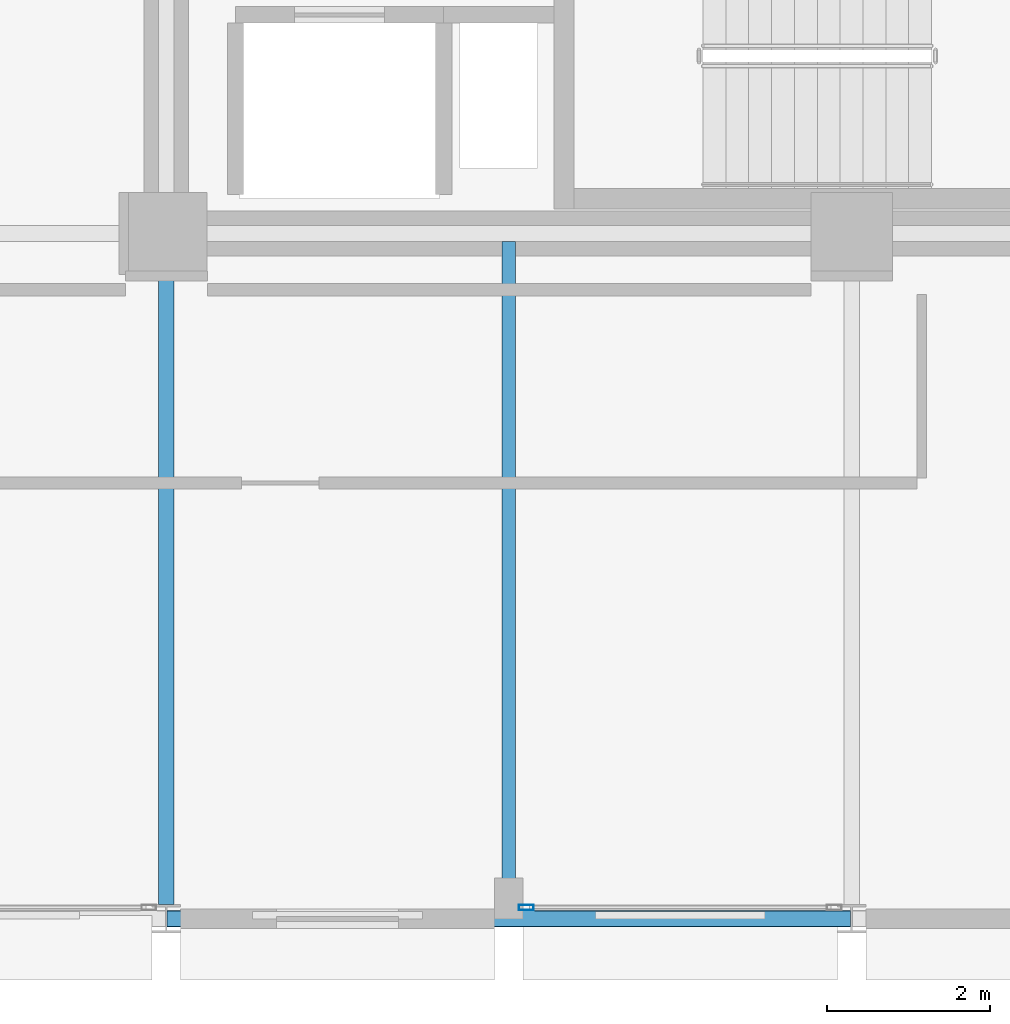
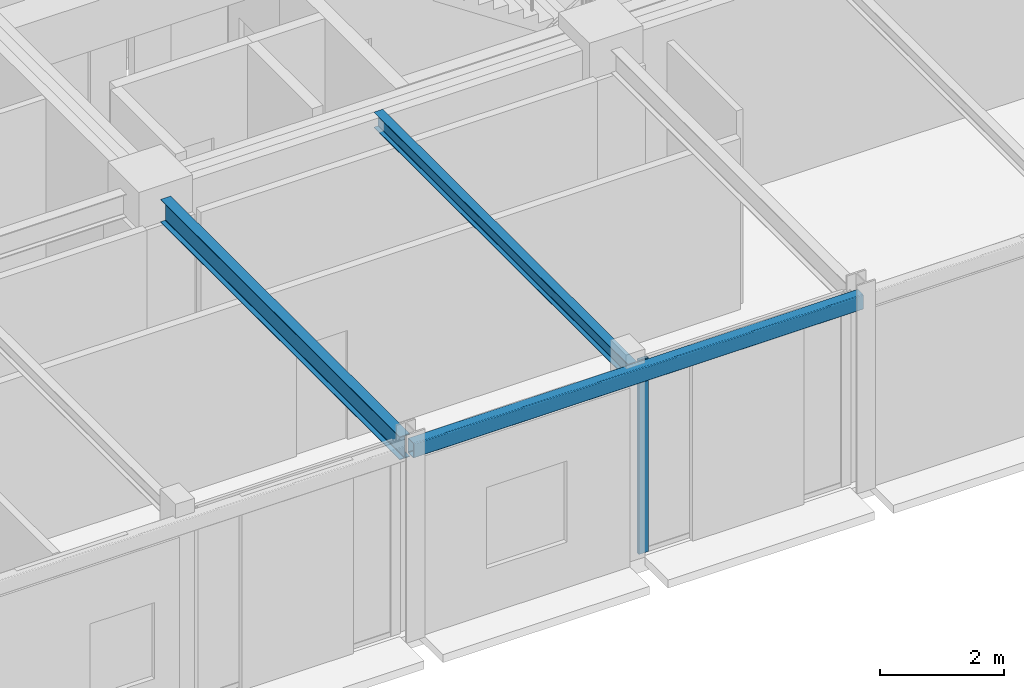
# One storey, part 7 of 29: 3 beams, 1 member, 1 element without a shape of its own.
"""IFC4 building model written with IfcOpenShell, lengths in metres."""

from ifc_helpers import new_model, si_unit, direction, frame, origin, origin_2d, place, context, subcontext, project, spatial, hollow_rectangle, i_section, extrude, material, layer, layer_set, material_profile, profile_set, type_object, element, aggregate, save


model = new_model("IFC4")

# Units and contexts
model_context = context("Model", 3, precision=1e-05, world=origin(), true_north=direction((0.0, 1.0)))
body_context = subcontext(model_context, "Body", "Model", "MODEL_VIEW")
ifc_project = project(units=[si_unit("LENGTHUNIT", "METRE"), si_unit("AREAUNIT", "SQUARE_METRE"), si_unit("VOLUMEUNIT", "CUBIC_METRE"), si_unit("PLANEANGLEUNIT", "RADIAN"), si_unit("MASSUNIT", "GRAM", prefix="KILO")], contexts=[model_context])

# Site, building, storey
site_placement = place(None, origin())
site = spatial("IfcSite", under=ifc_project, at=site_placement, CompositionType="ELEMENT")
building_placement = place(site_placement, origin())
building = spatial("IfcBuilding", under=site, at=building_placement, Name="Nerrivon Quay Data Exchange", CompositionType="ELEMENT")
storey_placement = place(building_placement, frame((0.0, 0.0, 179.60009765625)))
storey = spatial("IfcBuildingStorey", under=building, at=storey_placement, Name="L42", CompositionType="ELEMENT", Elevation=179.60009765625)

# Beams
ifc_material_1 = material(Name="Steel Grade 350", Category="steel")
ifc_material_profile_1 = material_profile(ifc_material_1, i_section(OverallWidth=0.18994140625, OverallDepth=0.4541015625, WebThickness=0.008544921875, FlangeThickness=0.0126953125, FilletRadius=0.011474609375, at=origin_2d()), Name="460UB67.1")
ifc_profile_set_1 = profile_set([ifc_material_profile_1], Name="Steel Grade 350")
beam_type_1 = type_object("IfcBeamType", Name="BM-G6-460UB67", PredefinedType="BEAM", material=ifc_profile_set_1)
beam_1_placement = place(storey_placement, frame((16.800048828125, 0.175048828125, 3.597900390625), z_axis=(0.0, 1.0, 0.0), x_axis=(-1.0, 0.0, 0.0)))
element("IfcBeam", 1, at=beam_1_placement, inside=storey, type_object=beam_type_1, Name="L42 NS Girder X=16.8 (0.0..8.4)", PredefinedType="BEAM", context=body_context, shape_type="SweptSolid", body=[
    extrude(i_section(OverallWidth=0.18994140625, OverallDepth=0.4541015625, WebThickness=0.008544921875, FlangeThickness=0.0126953125, FilletRadius=0.011474609375, at=origin_2d()), origin(), (0.0, 0.0, 1.0), 7.724853515625),
])
ifc_material_profile_2 = material_profile(ifc_material_1, i_section(OverallWidth=0.166015625, OverallDepth=0.306884765625, WebThickness=0.006591796875, FlangeThickness=0.01171875, FilletRadius=0.011474609375, at=origin_2d()), Name="310UB46.2")
ifc_profile_set_2 = profile_set([ifc_material_profile_2], Name="Steel Grade 350")
beam_type_2 = type_object("IfcBeamType", Name="BM-J5-310UB46", PredefinedType="JOIST", material=ifc_profile_set_2)
beam_2_placement = place(storey_placement, frame((21.0, 0.10009765625, 3.67138671875), z_axis=(0.0, 1.0, 0.0), x_axis=(-1.0, 0.0, 0.0)))
element("IfcBeam", 2, at=beam_2_placement, inside=storey, type_object=beam_type_2, Name="L42 Secondary Joist X=21.0 (0.0..8.4)", PredefinedType="JOIST", context=body_context, shape_type="SweptSolid", body=[
    extrude(i_section(OverallWidth=0.166015625, OverallDepth=0.306884765625, WebThickness=0.006591796875, FlangeThickness=0.01171875, FilletRadius=0.011474609375, at=origin_2d()), origin(), (0.0, 0.0, 1.0), 8.204345703125),
])
ifc_material_2 = material(Name="Steel Grade C350L0 (350 MPa)", Category="steel")
ifc_material_profile_3 = material_profile(ifc_material_2, hollow_rectangle(XDim=0.199951171875, YDim=0.300048828125, WallThickness=0.012451171875, InnerFilletRadius=0.018798828125, OuterFilletRadius=0.03125, at=origin_2d()), Name="300x200x12.5RHS")
ifc_profile_set_3 = profile_set([ifc_material_profile_3], Name="Steel Grade C350L0 (350 MPa)")
beam_type_3 = type_object("IfcBeamType", Name="BM-SP3-300x200RHS", PredefinedType="SPANDREL", material=ifc_profile_set_3)
beam_3_placement = place(storey_placement, frame((16.81005859375, 0.0, 3.6748046875), z_axis=(1.0, 0.0, 0.0), x_axis=(0.0, 1.0, 0.0)))
element("IfcBeam", 3, at=beam_3_placement, inside=storey, type_object=beam_type_3, Name="L42 EW Girder Y=0.0 (16.8..25.2)", PredefinedType="SPANDREL", context=body_context, shape_type="SweptSolid", body=[
    extrude(hollow_rectangle(XDim=0.199951171875, YDim=0.300048828125, WallThickness=0.012451171875, InnerFilletRadius=0.018798828125, OuterFilletRadius=0.03125, at=origin_2d()), origin(), (0.0, 0.0, 1.0), 8.3798828125),
])

# Curtain wall, member
ifc_material_3 = material(Name="Anodised aluminium 6063-T6", Category="aluminium")
ifc_layer = layer(ifc_material_3, 0.195068359375)
ifc_layer_set = layer_set([ifc_layer], Name="Anodised aluminium 6063-T6")
curtain_wall_type = type_object("IfcCurtainWallType", Name="CW-SYS-06", PredefinedType="NOTDEFINED", material=ifc_layer_set)
curtain_wall_placement = place(storey_placement, origin())
curtain_wall = element("IfcCurtainWall", 4, at=curtain_wall_placement, inside=storey, type_object=curtain_wall_type, Name="L42 Unitised Curtain Wall 24", PredefinedType="NOTDEFINED")
ifc_material_profile_4 = material_profile(ifc_material_3, hollow_rectangle(XDim=0.06494140625, YDim=0.179931640625, WallThickness=0.00341796875, at=origin_2d()), Name="ALU-MULL-180x65")
ifc_profile_set_4 = profile_set([ifc_material_profile_4], Name="Anodised aluminium 6063-T6")
member_type = type_object("IfcMemberType", Name="CWM-180x65", PredefinedType="MULLION", material=ifc_profile_set_4)
member_placement = place(storey_placement, frame((21.21240234375, 0.139892578125, 0.0), z_axis=(0.0, 0.0, 1.0), x_axis=(0.0, -1.0, 0.0)))
member = element("IfcMember", 5, at=member_placement, type_object=member_type, Name="CW06 mullion 2", PredefinedType="MULLION", context=body_context, shape_type="SweptSolid", body=[
    extrude(hollow_rectangle(XDim=0.06494140625, YDim=0.179931640625, WallThickness=0.00341796875, at=origin_2d()), origin(), (0.0, 0.0, 1.0), 3.824951171875),
])
aggregate(curtain_wall, [member])

save(model, "model.ifc")
